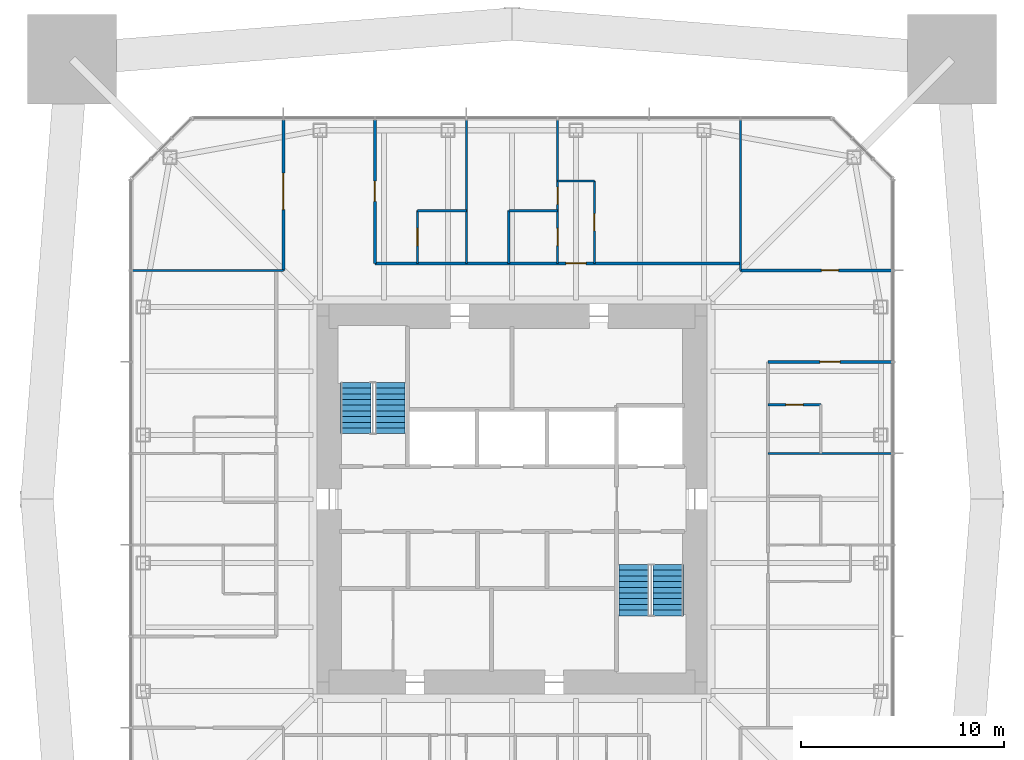
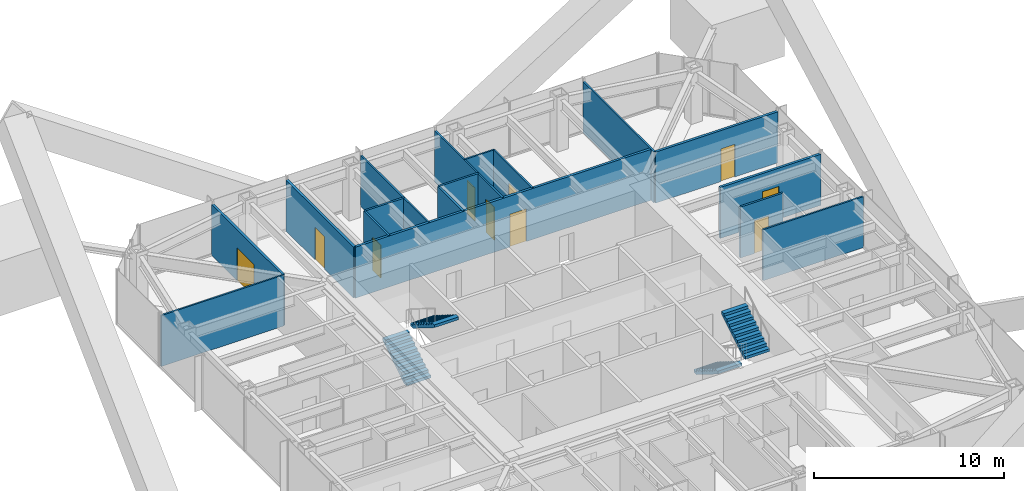
# One storey, part 10 of 13: 17 walls, 10 doors, 4 stair flights, 10 openings, 2 elements without a shape of their own.
"""IFC4 building model written with IfcOpenShell, lengths in metres."""

import ifcopenshell
import ifcopenshell.guid

model = None  # the IFC model being written
_history = None  # IfcOwnerHistory: only IFC2X3 demands one
_inside = {}  # id of a spatial element -> (the spatial element, [elements in it])
_under = {}  # id of a project, library or spatial element -> (it, [spatial elements below it])
_declared = {}  # id of a project -> (the project, [libraries it declares])
_typed = {}  # id of a type object -> (the type object, [elements of that type])
_made_of = {}  # id of a material, layer set ... -> (it, [elements and type objects made of it])


def new_model(schema):
    """Start an empty IFC model of exactly this schema.

    Asked for "IFC4X3", IfcOpenShell would pick the latest addendum, in which some entities
    have other attributes; the version numbers below select the first issue.
    IFC2X3 requires an IfcOwnerHistory on every rooted entity: one is made here for all.
    """
    global model, _history
    if schema == "IFC4X3":
        model = ifcopenshell.file(schema_version=(4, 3, 0, 0))
    else:
        model = ifcopenshell.file(schema=schema)
    _inside.clear()
    _under.clear()
    _declared.clear()
    _typed.clear()
    _made_of.clear()
    _history = None
    if model.schema == "IFC2X3":
        org = make("IfcOrganization", Name="unknown")
        user = make(
            "IfcPersonAndOrganization",
            ThePerson=make("IfcPerson", FamilyName="unknown"),
            TheOrganization=org,
        )
        app = make(
            "IfcApplication",
            ApplicationDeveloper=org,
            Version="unknown",
            ApplicationFullName="unknown",
            ApplicationIdentifier="unknown",
        )
        _history = make(
            "IfcOwnerHistory",
            OwningUser=user,
            OwningApplication=app,
            ChangeAction="ADDED",
            CreationDate=0,
        )
    return model


def make(cls, **values):
    """One entity of the class cls with the attributes given. An attribute that is None is left unset."""
    return model.create_entity(
        cls, **{name: value for name, value in values.items() if value is not None}
    )


def rooted(cls, **values):
    """An entity with a GlobalId (a new one), such as an element, a storey or a relation."""
    return make(cls, GlobalId=ifcopenshell.guid.new(), OwnerHistory=_history, **values)


def si_unit(unit_type, name, prefix=None):
    """IfcSIUnit, for example si_unit("LENGTHUNIT", "METRE", prefix="MILLI")."""
    return make("IfcSIUnit", UnitType=unit_type, Prefix=prefix, Name=name)


def assignment(units):
    """IfcUnitAssignment: the units of a project."""
    return None if units is None else make("IfcUnitAssignment", Units=units)


def point(xyz):
    """IfcCartesianPoint."""
    return None if xyz is None else make("IfcCartesianPoint", Coordinates=xyz)


def direction(xyz):
    """IfcDirection."""
    return None if xyz is None else make("IfcDirection", DirectionRatios=xyz)


def frame(location, z_axis=None, x_axis=None):
    """IfcAxis2Placement3D, a coordinate frame: its origin and axes. An axis left out is left unset."""
    return make(
        "IfcAxis2Placement3D",
        Location=point(location),
        Axis=direction(z_axis),
        RefDirection=direction(x_axis),
    )


def frame_2d(location, x_axis=None):
    """IfcAxis2Placement2D, a coordinate frame in the plane: its origin and x axis."""
    return make(
        "IfcAxis2Placement2D", Location=point(location), RefDirection=direction(x_axis)
    )


def origin():
    """The frame at (0, 0, 0) with its axes left unset."""
    return frame((0.0, 0.0, 0.0))


def place(relative_to, where):
    """IfcLocalPlacement: puts the frame where relative to a parent placement (None: the world)."""
    return make(
        "IfcLocalPlacement", PlacementRelTo=relative_to, RelativePlacement=where
    )


def context(
    kind, dimensions, precision=None, world=None, true_north=None, identifier=None
):
    """IfcGeometricRepresentationContext, for example the 3D "Model" context."""
    return make(
        "IfcGeometricRepresentationContext",
        ContextIdentifier=identifier,
        ContextType=kind,
        CoordinateSpaceDimension=dimensions,
        Precision=precision,
        WorldCoordinateSystem=world,
        TrueNorth=true_north,
    )


def subcontext(parent, identifier, kind, view, scale=None):
    """IfcGeometricRepresentationSubContext, for example "Body" below "Model"."""
    return make(
        "IfcGeometricRepresentationSubContext",
        ContextIdentifier=identifier,
        ContextType=kind,
        ParentContext=parent,
        TargetScale=scale,
        TargetView=view,
    )


def project(units=None, contexts=None):
    """IfcProject with its units and contexts."""
    return rooted(
        "IfcProject",
        Name="project",
        RepresentationContexts=contexts,
        UnitsInContext=assignment(units),
    )


def spatial(cls, under=None, at=None, **own):
    """A site, building, storey or space (cls), placed at a placement, below another one or the project."""
    s = rooted(cls, ObjectPlacement=at, **own)
    if under is not None:
        _under.setdefault(under.id(), (under, []))[1].append(s)
    return s


def polyline(points):
    """IfcPolyline through the points."""
    return make("IfcPolyline", Points=[point(p) for p in points])


def profile(cls, at=None, kind="AREA", **sizes):
    """A parametric profile (cls). Its sizes go by their IFC names, for example OverallWidth=200.0."""
    return make(cls, ProfileType=kind, Position=at, **sizes)


def rectangle(**sizes):
    """IfcRectangleProfileDef."""
    return profile("IfcRectangleProfileDef", **sizes)


def outline(outer, holes=None, kind="AREA"):
    """IfcArbitraryClosedProfileDef: a profile drawn as a closed curve; with holes, ...WithVoids."""
    if holes is None:
        return make("IfcArbitraryClosedProfileDef", ProfileType=kind, OuterCurve=outer)
    return make(
        "IfcArbitraryProfileDefWithVoids",
        ProfileType=kind,
        OuterCurve=outer,
        InnerCurves=holes,
    )


def extrude(swept, where, along, depth):
    """IfcExtrudedAreaSolid: the profile swept, set in the frame where, extruded along a direction by depth."""
    return make(
        "IfcExtrudedAreaSolid",
        SweptArea=swept,
        Position=where,
        ExtrudedDirection=direction(along),
        Depth=depth,
    )


def shape(context_of_items, identifier, shape_type, items):
    """IfcShapeRepresentation: the items that make up one representation, for example the "Body"."""
    return make(
        "IfcShapeRepresentation",
        ContextOfItems=context_of_items,
        RepresentationIdentifier=identifier,
        RepresentationType=shape_type,
        Items=items,
    )


def material(Name=None, Category=None):
    """IfcMaterial."""
    return make("IfcMaterial", Name=Name, Category=Category)


def layer(
    of_material, thickness, ventilated=None, Name=None, Category=None, Priority=None
):
    """IfcMaterialLayer: one layer of a wall or slab, of a material (None: an air gap)."""
    return make(
        "IfcMaterialLayer",
        Material=of_material,
        LayerThickness=thickness,
        IsVentilated=ventilated,
        Name=Name,
        Category=Category,
        Priority=Priority,
    )


def layer_set(layers, Name=None):
    """IfcMaterialLayerSet."""
    return make("IfcMaterialLayerSet", MaterialLayers=layers, LayerSetName=Name)


def constituent(of_material, Name=None, Category=None, fraction=None):
    """IfcMaterialConstituent: one of the materials an element consists of."""
    return make(
        "IfcMaterialConstituent",
        Name=Name,
        Material=of_material,
        Fraction=fraction,
        Category=Category,
    )


def constituent_set(constituents=None, Name=None):
    """IfcMaterialConstituentSet."""
    return make(
        "IfcMaterialConstituentSet", Name=Name, MaterialConstituents=constituents
    )


def made_of(thing, what):
    """Note that an element or type object is made of a material, layer set ...; save() writes the relation."""
    if what is not None:
        _made_of.setdefault(what.id(), (what, []))[1].append(thing)
    return thing


def type_object(cls, material=None, **own):
    """A type object (cls), such as IfcWallType, which elements share."""
    return made_of(rooted(cls, **own), material)


def element(
    cls,
    number,
    at=None,
    inside=None,
    cuts=None,
    type_object=None,
    material=None,
    context=None,
    identifier="Body",
    shape_type=None,
    held_by="IfcProductDefinitionShape",
    body=None,
    shapes=None,
    **own,
):
    """One element of the class cls, such as IfcWall. Its Tag is "e" and its number.

    at: its placement. inside: the storey or other place that contains it. cuts: it is an
    opening in that element (IfcRelVoidsElement). A single representation is given by context,
    identifier, shape_type and body (its items); several are given by shapes. held_by: the class
    of the entity that holds the representations. save() writes the other relations.
    """
    e = rooted(cls, Tag="e%d" % number, ObjectPlacement=at, **own)
    if body is not None:
        shapes = [shape(context, identifier, shape_type, body)]
    if shapes is not None:
        e.Representation = make(held_by, Representations=shapes)
    if inside is not None:
        _inside.setdefault(inside.id(), (inside, []))[1].append(e)
    if cuts is not None:
        rooted(
            "IfcRelVoidsElement", RelatingBuildingElement=cuts, RelatedOpeningElement=e
        )
    if type_object is not None:
        _typed.setdefault(type_object.id(), (type_object, []))[1].append(e)
    return made_of(e, material)


def fill(opening, filler):
    """IfcRelFillsElement: the door or window that sits in an opening."""
    return rooted(
        "IfcRelFillsElement",
        RelatingOpeningElement=opening,
        RelatedBuildingElement=filler,
    )


def aggregate(whole, parts):
    """IfcRelAggregates: a whole, such as a stair, and the parts it consists of."""
    return rooted("IfcRelAggregates", RelatingObject=whole, RelatedObjects=parts)


def save(model, path):
    """Write the relations noted so far, then the file.

    IfcRelAggregates (storeys below a building ...), IfcRelContainedInSpatialStructure (elements
    in a storey), IfcRelDefinesByType, IfcRelAssociatesMaterial and IfcRelDeclares: one each for
    every whole, place, type object, material and project.
    """
    for whole, parts in _under.values():
        aggregate(whole, parts)
    for where, things in _inside.values():
        rooted(
            "IfcRelContainedInSpatialStructure",
            RelatedElements=things,
            RelatingStructure=where,
        )
    for kind, things in _typed.values():
        rooted("IfcRelDefinesByType", RelatedObjects=things, RelatingType=kind)
    for what, things in _made_of.values():
        rooted("IfcRelAssociatesMaterial", RelatedObjects=things, RelatingMaterial=what)
    for by, libraries in _declared.values():
        rooted("IfcRelDeclares", RelatingContext=by, RelatedDefinitions=libraries)
    model.write(path)


model = new_model("IFC4")

# Units and contexts
model_context = context("Model", 3, precision=1e-05, world=origin(), true_north=direction((0.0, 1.0)))
body_context = subcontext(model_context, "Body", "Model", "MODEL_VIEW")
ifc_project = project(units=[si_unit("LENGTHUNIT", "METRE"), si_unit("AREAUNIT", "SQUARE_METRE"), si_unit("VOLUMEUNIT", "CUBIC_METRE"), si_unit("PLANEANGLEUNIT", "RADIAN"), si_unit("MASSUNIT", "GRAM", prefix="KILO")], contexts=[model_context])

# Site, building, storey
site_placement = place(None, origin())
site = spatial("IfcSite", under=ifc_project, at=site_placement, CompositionType="ELEMENT")
building_placement = place(site_placement, origin())
building = spatial("IfcBuilding", under=site, at=building_placement, Name="Iwan Alto Co-Living Towers", CompositionType="ELEMENT")
storey_placement = place(building_placement, frame((0.0, 0.0, 167.0)))
storey = spatial("IfcBuildingStorey", under=building, at=storey_placement, Name="L45", CompositionType="ELEMENT", Elevation=167.0)

# Wall, opening, door
ifc_material_1 = material(Name="Gypsum board")
ifc_layer_1 = layer(ifc_material_1, 0.02490234375, Name="Board", Category="Finish")
ifc_material_2 = material(Name="Steel ASTM A1003 ST33H cold-formed studs", Category="steel")
ifc_layer_2 = layer(ifc_material_2, 0.10009765625, Name="Studs", Category="Framing")
ifc_layer_3 = layer(ifc_material_1, 0.02490234375, Name="Board", Category="Finish")
ifc_layer_set_1 = layer_set([ifc_layer_1, ifc_layer_2, ifc_layer_3], Name="CORRIDOR WALL 150")
wall_type_1 = type_object("IfcWallType", Name="CORRIDOR WALL 150", PredefinedType="PARTITIONING", material=ifc_layer_set_1)
wall_1_placement = place(storey_placement, frame((12.60009765625, 6.75, 0.0), z_axis=(0.0, 0.0, 1.0), x_axis=(1.0, 0.0, 0.0)))
wall_1 = element("IfcWall", 1, at=wall_1_placement, inside=storey, type_object=wall_type_1, Name="Partition L45", PredefinedType="PARTITIONING", context=body_context, shape_type="SweptSolid", body=[
    extrude(rectangle(XDim=6.08984375, YDim=0.14990234375, at=frame_2d((3.044921875, 0.0))), origin(), (0.0, 0.0, 1.0), 3.27001953125),
])
opening_1_placement = place(wall_1_placement, frame((2.544921875, 0.0, 0.0)))
opening_1 = element("IfcOpeningElement", 2, at=opening_1_placement, cuts=wall_1, Name="Opening D3", PredefinedType="OPENING", context=body_context, shape_type="SweptSolid", body=[
    extrude(rectangle(XDim=1.0, YDim=2.10009765625, at=frame_2d((0.5, 1.050048828125))), frame((0.0, 0.0849609375, 0.0), z_axis=(0.0, -1.0, 0.0), x_axis=(1.0, 0.0, 0.0)), (0.0, 0.0, 1.0), 0.169921875),
])
ifc_material_3 = material(Name="Steel frame with timber leaf", Category="steel")
door_type_1 = type_object("IfcDoorType", Name="FLAT ENTRANCE DOOR FD30S 1000X2100", OperationType="SINGLE_SWING_LEFT", PredefinedType="DOOR", material=ifc_material_3)
door_1_placement = place(opening_1_placement, frame((1.0, 0.0, 0.0), z_axis=(0.0, 0.0, 1.0), x_axis=(-1.0, 0.0, 0.0)))
door_1 = element("IfcDoor", 3, at=door_1_placement, inside=storey, type_object=door_type_1, Name="Studio door L45", OperationType="SINGLE_SWING_RIGHT", OverallHeight=2.10009765625, OverallWidth=1.0, PredefinedType="DOOR", context=body_context, shape_type="SweptSolid", body=[
    extrude(rectangle(XDim=1.0, YDim=2.10009765625, at=frame_2d((0.5, 1.050048828125))), frame((0.0, 0.02490234375, 0.0), z_axis=(0.0, -1.0, 0.0), x_axis=(1.0, 0.0, 0.0)), (0.0, 0.0, 1.0), 0.050048828125),
])
fill(opening_1, door_1)

wall_2_placement = place(storey_placement, frame((11.25, 11.25, 0.0), z_axis=(0.0, 0.0, 1.0), x_axis=(1.0, 0.0, 0.0)))
wall_2 = element("IfcWall", 4, at=wall_2_placement, inside=storey, type_object=wall_type_1, Name="Partition L45", PredefinedType="PARTITIONING", context=body_context, shape_type="SweptSolid", body=[
    extrude(rectangle(XDim=7.43994140625, YDim=0.14990234375, at=frame_2d((3.719970703125, 0.0))), origin(), (0.0, 0.0, 1.0), 3.27001953125),
])
opening_2_placement = place(wall_2_placement, frame((3.969970703125, 0.0, 0.0)))
opening_2 = element("IfcOpeningElement", 5, at=opening_2_placement, cuts=wall_2, Name="Opening D2", PredefinedType="OPENING", context=body_context, shape_type="SweptSolid", body=[
    extrude(rectangle(XDim=0.85009765625, YDim=2.10009765625, at=frame_2d((0.425048828125, 1.050048828125))), frame((0.0, 0.0849609375, 0.0), z_axis=(0.0, -1.0, 0.0), x_axis=(1.0, 0.0, 0.0)), (0.0, 0.0, 1.0), 0.169921875),
])
ifc_material_4 = material(Name="Timber leaf in steel frame", Category="steel")
door_type_2 = type_object("IfcDoorType", Name="ROOM DOOR 850X2100", OperationType="SINGLE_SWING_LEFT", PredefinedType="DOOR", material=ifc_material_4)
door_2_placement = place(opening_2_placement, origin())
door_2 = element("IfcDoor", 6, at=door_2_placement, inside=storey, type_object=door_type_2, Name="Shared kitchen and lounge door L45", OperationType="SINGLE_SWING_RIGHT", OverallHeight=2.10009765625, OverallWidth=0.85009765625, PredefinedType="DOOR", context=body_context, shape_type="SweptSolid", body=[
    extrude(rectangle(XDim=0.85009765625, YDim=2.10009765625, at=frame_2d((0.425048828125, 1.050048828125))), frame((0.0, 0.02490234375, 0.0), z_axis=(0.0, -1.0, 0.0), x_axis=(1.0, 0.0, 0.0)), (0.0, 0.0, 1.0), 0.050048828125),
])
fill(opening_2, door_2)

wall_3_placement = place(storey_placement, frame((-6.75, 11.60009765625, 0.0), z_axis=(0.0, 0.0, 1.0), x_axis=(1.0, 0.0, 0.0)))
wall_3 = element("IfcWall", 7, at=wall_3_placement, inside=storey, type_object=wall_type_1, Name="Partition L45", PredefinedType="PARTITIONING", context=body_context, shape_type="SweptSolid", body=[
    extrude(rectangle(XDim=18.0, YDim=0.14990234375, at=frame_2d((9.0, 0.0))), origin(), (0.0, 0.0, 1.0), 3.27001953125),
])
opening_3_placement = place(wall_3_placement, frame((9.39990234375, 0.0, 0.0)))
opening_3 = element("IfcOpeningElement", 8, at=opening_3_placement, cuts=wall_3, Name="Opening D3", PredefinedType="OPENING", context=body_context, shape_type="SweptSolid", body=[
    extrude(rectangle(XDim=1.0, YDim=2.10009765625, at=frame_2d((0.5, 1.050048828125))), frame((0.0, 0.0849609375, 0.0), z_axis=(0.0, -1.0, 0.0), x_axis=(1.0, 0.0, 0.0)), (0.0, 0.0, 1.0), 0.169921875),
])
door_3_placement = place(opening_3_placement, origin())
door_3 = element("IfcDoor", 9, at=door_3_placement, inside=storey, type_object=door_type_1, Name="Apartment foyer door L45", OperationType="SINGLE_SWING_LEFT", OverallHeight=2.10009765625, OverallWidth=1.0, PredefinedType="DOOR", context=body_context, shape_type="SweptSolid", body=[
    extrude(rectangle(XDim=1.0, YDim=2.10009765625, at=frame_2d((0.5, 1.050048828125))), frame((0.0, 0.02490234375, 0.0), z_axis=(0.0, -1.0, 0.0), x_axis=(1.0, 0.0, 0.0)), (0.0, 0.0, 1.0), 0.050048828125),
])
fill(opening_3, door_3)

wall_4_placement = place(storey_placement, frame((-6.75, 11.60009765625, 0.0), z_axis=(0.0, 0.0, 1.0), x_axis=(0.0, 1.0, 0.0)))
wall_4 = element("IfcWall", 10, at=wall_4_placement, inside=storey, type_object=wall_type_1, Name="Partition L45", PredefinedType="PARTITIONING", context=body_context, shape_type="SweptSolid", body=[
    extrude(rectangle(XDim=7.08984375, YDim=0.14990234375, at=frame_2d((3.544921875, 0.0))), origin(), (0.0, 0.0, 1.0), 3.27001953125),
])
opening_4_placement = place(wall_4_placement, frame((3.044921875, 0.0, 0.0)))
opening_4 = element("IfcOpeningElement", 11, at=opening_4_placement, cuts=wall_4, Name="Opening D3", PredefinedType="OPENING", context=body_context, shape_type="SweptSolid", body=[
    extrude(rectangle(XDim=1.0, YDim=2.10009765625, at=frame_2d((0.5, 1.050048828125))), frame((0.0, 0.0849609375, 0.0), z_axis=(0.0, -1.0, 0.0), x_axis=(1.0, 0.0, 0.0)), (0.0, 0.0, 1.0), 0.169921875),
])
door_4_placement = place(opening_4_placement, frame((1.0, 0.0, 0.0), z_axis=(0.0, 0.0, 1.0), x_axis=(-1.0, 0.0, 0.0)))
door_4 = element("IfcDoor", 12, at=door_4_placement, inside=storey, type_object=door_type_1, Name="Studio door L45", OperationType="SINGLE_SWING_RIGHT", OverallHeight=2.10009765625, OverallWidth=1.0, PredefinedType="DOOR", context=body_context, shape_type="SweptSolid", body=[
    extrude(rectangle(XDim=1.0, YDim=2.10009765625, at=frame_2d((0.5, 1.050048828125))), frame((0.0, 0.02490234375, 0.0), z_axis=(0.0, -1.0, 0.0), x_axis=(1.0, 0.0, 0.0)), (0.0, 0.0, 1.0), 0.050048828125),
])
fill(opening_4, door_4)

wall_5_placement = place(storey_placement, frame((-11.25, 11.25, 0.0), z_axis=(0.0, 0.0, 1.0), x_axis=(0.0, 1.0, 0.0)))
wall_5 = element("IfcWall", 13, at=wall_5_placement, inside=storey, type_object=wall_type_1, Name="Partition L45", PredefinedType="PARTITIONING", context=body_context, shape_type="SweptSolid", body=[
    extrude(rectangle(XDim=7.43994140625, YDim=0.14990234375, at=frame_2d((3.719970703125, 0.0))), origin(), (0.0, 0.0, 1.0), 3.27001953125),
])
opening_5_placement = place(wall_5_placement, frame((2.9951171875, 0.0, 0.0)))
opening_5 = element("IfcOpeningElement", 14, at=opening_5_placement, cuts=wall_5, Name="Opening D9", PredefinedType="OPENING", context=body_context, shape_type="SweptSolid", body=[
    extrude(rectangle(XDim=1.800048828125, YDim=2.10009765625, at=frame_2d((0.89990234375, 1.050048828125))), frame((0.0, 0.0849609375, 0.0), z_axis=(0.0, -1.0, 0.0), x_axis=(1.0, 0.0, 0.0)), (0.0, 0.0, 1.0), 0.169921875),
])
ifc_material_5 = material(Name="Steel frame with timber leaf", Category="steel")
door_type_3 = type_object("IfcDoorType", Name="LOUNGE DOOR FD30S 1800X2100", OperationType="DOUBLE_DOOR_SINGLE_SWING", PredefinedType="DOOR", material=ifc_material_5)
door_5_placement = place(opening_5_placement, origin())
door_5 = element("IfcDoor", 15, at=door_5_placement, inside=storey, type_object=door_type_3, Name="Study lounge door L45", OperationType="DOUBLE_DOOR_SINGLE_SWING", OverallHeight=2.10009765625, OverallWidth=1.800048828125, PredefinedType="DOOR", context=body_context, shape_type="SweptSolid", body=[
    extrude(rectangle(XDim=1.800048828125, YDim=2.10009765625, at=frame_2d((0.89990234375, 1.050048828125))), frame((0.0, 0.02490234375, 0.0), z_axis=(0.0, -1.0, 0.0), x_axis=(1.0, 0.0, 0.0)), (0.0, 0.0, 1.0), 0.050048828125),
])
fill(opening_5, door_5)

# Walls
ifc_layer_4 = layer(ifc_material_1, 0.012451171875, Name="Board", Category="Finish")
ifc_layer_5 = layer(ifc_material_2, 0.074951171875, Name="Studs", Category="Framing")
ifc_layer_6 = layer(ifc_material_1, 0.012451171875, Name="Board", Category="Finish")
ifc_layer_set_2 = layer_set([ifc_layer_4, ifc_layer_5, ifc_layer_6], Name="PARTITION 100")
wall_type_2 = type_object("IfcWallType", Name="PARTITION 100", PredefinedType="PARTITIONING", material=ifc_layer_set_2)
wall_6_placement = place(storey_placement, frame((12.60009765625, 2.25, 0.0), z_axis=(0.0, 0.0, 1.0), x_axis=(1.0, 0.0, 0.0)))
element("IfcWall", 16, at=wall_6_placement, inside=storey, type_object=wall_type_2, Name="Partition L45", PredefinedType="PARTITIONING", context=body_context, shape_type="SweptSolid", body=[
    extrude(rectangle(XDim=6.08984375, YDim=0.10009765625, at=frame_2d((3.044921875, 0.0))), origin(), (0.0, 0.0, 1.0), 3.27001953125),
])
wall_7_placement = place(storey_placement, frame((-18.68994140625, 11.25, 0.0), z_axis=(0.0, 0.0, 1.0), x_axis=(1.0, 0.0, 0.0)))
element("IfcWall", 17, at=wall_7_placement, inside=storey, type_object=wall_type_2, Name="Partition L45", PredefinedType="PARTITIONING", context=body_context, shape_type="SweptSolid", body=[
    extrude(rectangle(XDim=7.43994140625, YDim=0.10009765625, at=frame_2d((3.719970703125, 0.0))), origin(), (0.0, 0.0, 1.0), 3.27001953125),
])
wall_8_placement = place(storey_placement, frame((2.25, 15.64990234375, 0.0), z_axis=(0.0, 0.0, 1.0), x_axis=(1.0, 0.0, 0.0)))
element("IfcWall", 18, at=wall_8_placement, inside=storey, type_object=wall_type_2, Name="Partition L45", PredefinedType="PARTITIONING", context=body_context, shape_type="SweptSolid", body=[
    extrude(rectangle(XDim=1.800048828125, YDim=0.10009765625, at=frame_2d((0.89990234375, 0.0))), origin(), (0.0, 0.0, 1.0), 3.27001953125),
])
wall_9_placement = place(storey_placement, frame((11.25, 11.25, 0.0), z_axis=(0.0, 0.0, 1.0), x_axis=(0.0, 1.0, 0.0)))
element("IfcWall", 19, at=wall_9_placement, inside=storey, type_object=wall_type_2, Name="Partition L45", PredefinedType="PARTITIONING", context=body_context, shape_type="SweptSolid", body=[
    extrude(rectangle(XDim=7.43994140625, YDim=0.10009765625, at=frame_2d((3.719970703125, 0.0))), origin(), (0.0, 0.0, 1.0), 3.27001953125),
])

# Wall, opening, door
wall_10_placement = place(storey_placement, frame((4.050048828125, 11.60009765625, 0.0), z_axis=(0.0, 0.0, 1.0), x_axis=(0.0, 1.0, 0.0)))
wall_10 = element("IfcWall", 20, at=wall_10_placement, inside=storey, type_object=wall_type_2, Name="Partition L45", PredefinedType="PARTITIONING", context=body_context, shape_type="SweptSolid", body=[
    extrude(rectangle(XDim=4.0498046875, YDim=0.10009765625, at=frame_2d((2.02490234375, 0.0))), origin(), (0.0, 0.0, 1.0), 3.27001953125),
])
opening_6_placement = place(wall_10_placement, frame((1.60009765625, 0.0, 0.0)))
opening_6 = element("IfcOpeningElement", 21, at=opening_6_placement, cuts=wall_10, Name="Opening D2", PredefinedType="OPENING", context=body_context, shape_type="SweptSolid", body=[
    extrude(rectangle(XDim=0.85009765625, YDim=2.10009765625, at=frame_2d((0.425048828125, 1.050048828125))), frame((0.0, 0.06005859375, 0.0), z_axis=(0.0, -1.0, 0.0), x_axis=(1.0, 0.0, 0.0)), (0.0, 0.0, 1.0), 0.1201171875),
])
door_6_placement = place(opening_6_placement, frame((0.85009765625, 0.0, 0.0), z_axis=(0.0, 0.0, 1.0), x_axis=(-1.0, 0.0, 0.0)))
door_6 = element("IfcDoor", 22, at=door_6_placement, inside=storey, type_object=door_type_2, Name="Apartment foyer door L45", OperationType="SINGLE_SWING_RIGHT", OverallHeight=2.10009765625, OverallWidth=0.85009765625, PredefinedType="DOOR", context=body_context, shape_type="SweptSolid", body=[
    extrude(rectangle(XDim=0.85009765625, YDim=2.10009765625, at=frame_2d((0.425048828125, 1.050048828125))), frame((0.0, 0.02490234375, 0.0), z_axis=(0.0, -1.0, 0.0), x_axis=(1.0, 0.0, 0.0)), (0.0, 0.0, 1.0), 0.050048828125),
])
fill(opening_6, door_6)

# Wall, openings, doors
wall_11_placement = place(storey_placement, frame((2.25, 11.60009765625, 0.0), z_axis=(0.0, 0.0, 1.0), x_axis=(0.0, 1.0, 0.0)))
wall_11 = element("IfcWall", 23, at=wall_11_placement, inside=storey, type_object=wall_type_2, Name="Partition L45", PredefinedType="PARTITIONING", context=body_context, shape_type="SweptSolid", body=[
    extrude(rectangle(XDim=7.08984375, YDim=0.10009765625, at=frame_2d((3.544921875, 0.0))), origin(), (0.0, 0.0, 1.0), 3.27001953125),
])
opening_7_placement = place(wall_11_placement, frame((2.89990234375, 0.0, 0.0)))
opening_7 = element("IfcOpeningElement", 24, at=opening_7_placement, cuts=wall_11, Name="Opening D2", PredefinedType="OPENING", context=body_context, shape_type="SweptSolid", body=[
    extrude(rectangle(XDim=0.85009765625, YDim=2.10009765625, at=frame_2d((0.425048828125, 1.050048828125))), frame((0.0, 0.06005859375, 0.0), z_axis=(0.0, -1.0, 0.0), x_axis=(1.0, 0.0, 0.0)), (0.0, 0.0, 1.0), 0.1201171875),
])
opening_8_placement = place(wall_11_placement, frame((0.875, 0.0, 0.0)))
opening_8 = element("IfcOpeningElement", 25, at=opening_8_placement, cuts=wall_11, Name="Opening D2", PredefinedType="OPENING", context=body_context, shape_type="SweptSolid", body=[
    extrude(rectangle(XDim=0.85009765625, YDim=2.10009765625, at=frame_2d((0.425048828125, 1.050048828125))), frame((0.0, 0.06005859375, 0.0), z_axis=(0.0, -1.0, 0.0), x_axis=(1.0, 0.0, 0.0)), (0.0, 0.0, 1.0), 0.1201171875),
])
door_7_placement = place(opening_7_placement, origin())
door_7 = element("IfcDoor", 26, at=door_7_placement, inside=storey, type_object=door_type_2, Name="Bedroom door L45", OperationType="SINGLE_SWING_LEFT", OverallHeight=2.10009765625, OverallWidth=0.85009765625, PredefinedType="DOOR", context=body_context, shape_type="SweptSolid", body=[
    extrude(rectangle(XDim=0.85009765625, YDim=2.10009765625, at=frame_2d((0.425048828125, 1.050048828125))), frame((0.0, 0.02490234375, 0.0), z_axis=(0.0, -1.0, 0.0), x_axis=(1.0, 0.0, 0.0)), (0.0, 0.0, 1.0), 0.050048828125),
])
fill(opening_7, door_7)
door_8_placement = place(opening_8_placement, origin())
door_8 = element("IfcDoor", 27, at=door_8_placement, inside=storey, type_object=door_type_2, Name="Bathroom door L45", OperationType="SINGLE_SWING_LEFT", OverallHeight=2.10009765625, OverallWidth=0.85009765625, PredefinedType="DOOR", context=body_context, shape_type="SweptSolid", body=[
    extrude(rectangle(XDim=0.85009765625, YDim=2.10009765625, at=frame_2d((0.425048828125, 1.050048828125))), frame((0.0, 0.02490234375, 0.0), z_axis=(0.0, -1.0, 0.0), x_axis=(1.0, 0.0, 0.0)), (0.0, 0.0, 1.0), 0.050048828125),
])
fill(opening_8, door_8)

# Wall
wall_12_placement = place(storey_placement, frame((-2.25, 11.60009765625, 0.0), z_axis=(0.0, 0.0, 1.0), x_axis=(0.0, 1.0, 0.0)))
element("IfcWall", 28, at=wall_12_placement, inside=storey, type_object=wall_type_2, Name="Partition L45", PredefinedType="PARTITIONING", context=body_context, shape_type="SweptSolid", body=[
    extrude(rectangle(XDim=7.08984375, YDim=0.10009765625, at=frame_2d((3.544921875, 0.0))), origin(), (0.0, 0.0, 1.0), 3.27001953125),
])

# Wall, opening, door
ifc_material_6 = material(Name="Cement board")
ifc_layer_7 = layer(ifc_material_6, 0.012451171875, Name="Board", Category="Finish")
ifc_layer_8 = layer(ifc_material_2, 0.094970703125, Name="Studs", Category="Framing")
ifc_layer_9 = layer(ifc_material_6, 0.012451171875, Name="Board", Category="Finish")
ifc_layer_set_3 = layer_set([ifc_layer_7, ifc_layer_8, ifc_layer_9], Name="WET AREA PARTITION 120")
wall_type_3 = type_object("IfcWallType", Name="WET AREA PARTITION 120", PredefinedType="PARTITIONING", material=ifc_layer_set_3)
wall_13_placement = place(storey_placement, frame((12.60009765625, 4.64990234375, 0.0), z_axis=(0.0, 0.0, 1.0), x_axis=(1.0, 0.0, 0.0)))
wall_13 = element("IfcWall", 29, at=wall_13_placement, inside=storey, type_object=wall_type_3, Name="Partition L45", PredefinedType="PARTITIONING", context=body_context, shape_type="SweptSolid", body=[
    extrude(rectangle(XDim=2.599853515625, YDim=0.1201171875, at=frame_2d((1.2998046875, 0.0))), origin(), (0.0, 0.0, 1.0), 3.27001953125),
])
opening_9_placement = place(wall_13_placement, frame((0.875, 0.0, 0.0)))
opening_9 = element("IfcOpeningElement", 30, at=opening_9_placement, cuts=wall_13, Name="Opening D2", PredefinedType="OPENING", context=body_context, shape_type="SweptSolid", body=[
    extrude(rectangle(XDim=0.85009765625, YDim=2.10009765625, at=frame_2d((0.425048828125, 1.050048828125))), frame((0.0, 0.070068359375, 0.0), z_axis=(0.0, -1.0, 0.0), x_axis=(1.0, 0.0, 0.0)), (0.0, 0.0, 1.0), 0.14013671875),
])
door_9_placement = place(opening_9_placement, origin())
door_9 = element("IfcDoor", 31, at=door_9_placement, inside=storey, type_object=door_type_2, Name="En-suite shower room door L45", OperationType="SINGLE_SWING_LEFT", OverallHeight=2.10009765625, OverallWidth=0.85009765625, PredefinedType="DOOR", context=body_context, shape_type="SweptSolid", body=[
    extrude(rectangle(XDim=0.85009765625, YDim=2.10009765625, at=frame_2d((0.425048828125, 1.050048828125))), frame((0.0, 0.02490234375, 0.0), z_axis=(0.0, -1.0, 0.0), x_axis=(1.0, 0.0, 0.0)), (0.0, 0.0, 1.0), 0.050048828125),
])
fill(opening_9, door_9)

# Walls
for number, where, z_axis, x_axis, name in (
    (32, (-4.64990234375, 14.199951171875, 0.0), (0.0, 0.0, 1.0), (1.0, 0.0, 0.0), "Partition L45"),
    (33, (-0.14990234375, 14.199951171875, 0.0), (0.0, 0.0, 1.0), (1.0, 0.0, 0.0), "Partition L45"),
):
    element("IfcWall", number, at=place(storey_placement, frame(where, z_axis=z_axis, x_axis=x_axis)), inside=storey, type_object=wall_type_3, Name=name, PredefinedType="PARTITIONING", context=body_context, shape_type="SweptSolid", body=[
        extrude(rectangle(XDim=2.39990234375, YDim=0.1201171875, at=frame_2d((1.199951171875, 0.0))), origin(), (0.0, 0.0, 1.0), 3.27001953125),
    ])
wall_14_placement = place(storey_placement, frame((-0.14990234375, 11.60009765625, 0.0), z_axis=(0.0, 0.0, 1.0), x_axis=(0.0, 1.0, 0.0)))
element("IfcWall", 34, at=wall_14_placement, inside=storey, type_object=wall_type_3, Name="Partition L45", PredefinedType="PARTITIONING", context=body_context, shape_type="SweptSolid", body=[
    extrude(rectangle(XDim=2.599853515625, YDim=0.1201171875, at=frame_2d((1.2998046875, 0.0))), origin(), (0.0, 0.0, 1.0), 3.27001953125),
])

# Wall, opening, door
wall_15_placement = place(storey_placement, frame((-4.64990234375, 11.60009765625, 0.0), z_axis=(0.0, 0.0, 1.0), x_axis=(0.0, 1.0, 0.0)))
wall_15 = element("IfcWall", 35, at=wall_15_placement, inside=storey, type_object=wall_type_3, Name="Partition L45", PredefinedType="PARTITIONING", context=body_context, shape_type="SweptSolid", body=[
    extrude(rectangle(XDim=2.599853515625, YDim=0.1201171875, at=frame_2d((1.2998046875, 0.0))), origin(), (0.0, 0.0, 1.0), 3.27001953125),
])
opening_10_placement = place(wall_15_placement, frame((0.875, 0.0, 0.0)))
opening_10 = element("IfcOpeningElement", 36, at=opening_10_placement, cuts=wall_15, Name="Opening D2", PredefinedType="OPENING", context=body_context, shape_type="SweptSolid", body=[
    extrude(rectangle(XDim=0.85009765625, YDim=2.10009765625, at=frame_2d((0.425048828125, 1.050048828125))), frame((0.0, 0.070068359375, 0.0), z_axis=(0.0, -1.0, 0.0), x_axis=(1.0, 0.0, 0.0)), (0.0, 0.0, 1.0), 0.14013671875),
])
door_10_placement = place(opening_10_placement, origin())
door_10 = element("IfcDoor", 37, at=door_10_placement, inside=storey, type_object=door_type_2, Name="En-suite shower room door L45", OperationType="SINGLE_SWING_LEFT", OverallHeight=2.10009765625, OverallWidth=0.85009765625, PredefinedType="DOOR", context=body_context, shape_type="SweptSolid", body=[
    extrude(rectangle(XDim=0.85009765625, YDim=2.10009765625, at=frame_2d((0.425048828125, 1.050048828125))), frame((0.0, 0.02490234375, 0.0), z_axis=(0.0, -1.0, 0.0), x_axis=(1.0, 0.0, 0.0)), (0.0, 0.0, 1.0), 0.050048828125),
])
fill(opening_10, door_10)

# Stair, stair flights
ifc_material_7 = material(Name="Steel ASTM A36", Category="steel")
ifc_constituent_1 = constituent(ifc_material_7, Name="Stringers", Category="LoadBearing")
ifc_material_8 = material(Name="Concrete f'c 30 MPa", Category="concrete")
ifc_constituent_2 = constituent(ifc_material_8, Name="Tread fill", Category="Finish")
ifc_constituent_set_1 = constituent_set(constituents=[ifc_constituent_1, ifc_constituent_2], Name="STAIR 3500 TWO-FLIGHT T1 CORE")
stair_type = type_object("IfcStairType", Name="STAIR 3500 TWO-FLIGHT T1 CORE", PredefinedType="HALF_TURN_STAIR", material=ifc_constituent_set_1)
stair_1_placement = place(storey_placement, origin())
stair_1 = element("IfcStair", 38, at=stair_1_placement, inside=storey, type_object=stair_type, Name="Stair T1-S1 L45 to L46", PredefinedType="HALF_TURN_STAIR")
ifc_constituent_3 = constituent(ifc_material_7, Name="Stringers", Category="LoadBearing")
ifc_constituent_4 = constituent(ifc_material_8, Name="Tread fill", Category="Finish")
ifc_constituent_set_2 = constituent_set(constituents=[ifc_constituent_3, ifc_constituent_4], Name="STAIR FLIGHT 10 RISERS 280 GOING")
stair_flight_type = type_object("IfcStairFlightType", Name="STAIR FLIGHT 10 RISERS 280 GOING", PredefinedType="STRAIGHT", material=ifc_constituent_set_2)
stair_flight_1_placement = place(storey_placement, frame((-7.68994140625, 3.219970703125, 0.0), z_axis=(0.0, 0.0, 1.0), x_axis=(0.0, 1.0, 0.0)))
stair_flight_1 = element("IfcStairFlight", 39, at=stair_flight_1_placement, type_object=stair_flight_type, Name="T1-S1 flight 1", NumberOfRisers=10, NumberOfTreads=9, PredefinedType="STRAIGHT", RiserHeight=0.175, TreadLength=0.28, context=body_context, shape_type="SweptSolid", body=[
    extrude(outline(polyline([(0.0, 0.0), (0.0, 0.175048828125), (0.280029296875, 0.175048828125), (0.280029296875, 0.35009765625), (0.56005859375, 0.35009765625), (0.56005859375, 0.52490234375), (0.840087890625, 0.52490234375), (0.840087890625, 0.699951171875), (1.1201171875, 0.699951171875), (1.1201171875, 0.875), (1.39990234375, 0.875), (1.39990234375, 1.050048828125), (1.679931640625, 1.050048828125), (1.679931640625, 1.22509765625), (1.9599609375, 1.22509765625), (1.9599609375, 1.39990234375), (2.239990234375, 1.39990234375), (2.239990234375, 1.574951171875), (2.52001953125, 1.574951171875), (2.52001953125, 1.75), (2.52001953125, 1.398193359375), (0.28271484375, 0.0), (0.0, 0.0)])), frame((0.0, 0.739990234375, 0.0), z_axis=(0.0, -1.0, 0.0), x_axis=(1.0, 0.0, 0.0)), (0.0, 0.0, 1.0), 1.47998046875),
])
stair_flight_2_placement = place(storey_placement, frame((-6.010009765625, 5.739990234375, 1.75), z_axis=(0.0, 0.0, 1.0), x_axis=(0.0, -1.0, 0.0)))
stair_flight_2 = element("IfcStairFlight", 40, at=stair_flight_2_placement, type_object=stair_flight_type, Name="T1-S1 flight 2", NumberOfRisers=10, NumberOfTreads=9, PredefinedType="STRAIGHT", RiserHeight=0.175, TreadLength=0.28, context=body_context, shape_type="SweptSolid", body=[
    extrude(outline(polyline([(0.0, 0.0), (0.0, 0.175048828125), (0.280029296875, 0.175048828125), (0.280029296875, 0.35009765625), (0.56005859375, 0.35009765625), (0.56005859375, 0.52490234375), (0.840087890625, 0.52490234375), (0.840087890625, 0.699951171875), (1.1201171875, 0.699951171875), (1.1201171875, 0.875), (1.39990234375, 0.875), (1.39990234375, 1.050048828125), (1.679931640625, 1.050048828125), (1.679931640625, 1.22509765625), (1.9599609375, 1.22509765625), (1.9599609375, 1.39990234375), (2.239990234375, 1.39990234375), (2.239990234375, 1.574951171875), (2.52001953125, 1.574951171875), (2.52001953125, 1.75), (2.52001953125, 1.398193359375), (0.28271484375, 0.0), (0.0, 0.0)])), frame((0.0, 0.739990234375, 0.0), z_axis=(0.0, -1.0, 0.0), x_axis=(1.0, 0.0, 0.0)), (0.0, 0.0, 1.0), 1.47998046875),
])
aggregate(stair_1, [stair_flight_1, stair_flight_2])

stair_2_placement = place(storey_placement, origin())
stair_2 = element("IfcStair", 41, at=stair_2_placement, inside=storey, type_object=stair_type, Name="Stair T1-S2 L45 to L46", PredefinedType="HALF_TURN_STAIR")
stair_flight_3_placement = place(storey_placement, frame((6.010009765625, -3.219970703125, 0.0), z_axis=(0.0, 0.0, 1.0), x_axis=(0.0, -1.0, 0.0)))
stair_flight_3 = element("IfcStairFlight", 42, at=stair_flight_3_placement, type_object=stair_flight_type, Name="T1-S2 flight 1", NumberOfRisers=10, NumberOfTreads=9, PredefinedType="STRAIGHT", RiserHeight=0.175, TreadLength=0.28, context=body_context, shape_type="SweptSolid", body=[
    extrude(outline(polyline([(0.0, 0.0), (0.0, 0.175048828125), (0.280029296875, 0.175048828125), (0.280029296875, 0.35009765625), (0.56005859375, 0.35009765625), (0.56005859375, 0.52490234375), (0.840087890625, 0.52490234375), (0.840087890625, 0.699951171875), (1.1201171875, 0.699951171875), (1.1201171875, 0.875), (1.39990234375, 0.875), (1.39990234375, 1.050048828125), (1.679931640625, 1.050048828125), (1.679931640625, 1.22509765625), (1.9599609375, 1.22509765625), (1.9599609375, 1.39990234375), (2.239990234375, 1.39990234375), (2.239990234375, 1.574951171875), (2.52001953125, 1.574951171875), (2.52001953125, 1.75), (2.52001953125, 1.398193359375), (0.28271484375, 0.0), (0.0, 0.0)])), frame((0.0, 0.739990234375, 0.0), z_axis=(0.0, -1.0, 0.0), x_axis=(1.0, 0.0, 0.0)), (0.0, 0.0, 1.0), 1.47998046875),
])
stair_flight_4_placement = place(storey_placement, frame((7.68994140625, -5.739990234375, 1.75), z_axis=(0.0, 0.0, 1.0), x_axis=(0.0, 1.0, 0.0)))
stair_flight_4 = element("IfcStairFlight", 43, at=stair_flight_4_placement, type_object=stair_flight_type, Name="T1-S2 flight 2", NumberOfRisers=10, NumberOfTreads=9, PredefinedType="STRAIGHT", RiserHeight=0.175, TreadLength=0.28, context=body_context, shape_type="SweptSolid", body=[
    extrude(outline(polyline([(0.0, 0.0), (0.0, 0.175048828125), (0.280029296875, 0.175048828125), (0.280029296875, 0.35009765625), (0.56005859375, 0.35009765625), (0.56005859375, 0.52490234375), (0.840087890625, 0.52490234375), (0.840087890625, 0.699951171875), (1.1201171875, 0.699951171875), (1.1201171875, 0.875), (1.39990234375, 0.875), (1.39990234375, 1.050048828125), (1.679931640625, 1.050048828125), (1.679931640625, 1.22509765625), (1.9599609375, 1.22509765625), (1.9599609375, 1.39990234375), (2.239990234375, 1.39990234375), (2.239990234375, 1.574951171875), (2.52001953125, 1.574951171875), (2.52001953125, 1.75), (2.52001953125, 1.398193359375), (0.28271484375, 0.0), (0.0, 0.0)])), frame((0.0, 0.739990234375, 0.0), z_axis=(0.0, -1.0, 0.0), x_axis=(1.0, 0.0, 0.0)), (0.0, 0.0, 1.0), 1.47998046875),
])
aggregate(stair_2, [stair_flight_3, stair_flight_4])

save(model, "model.ifc")
